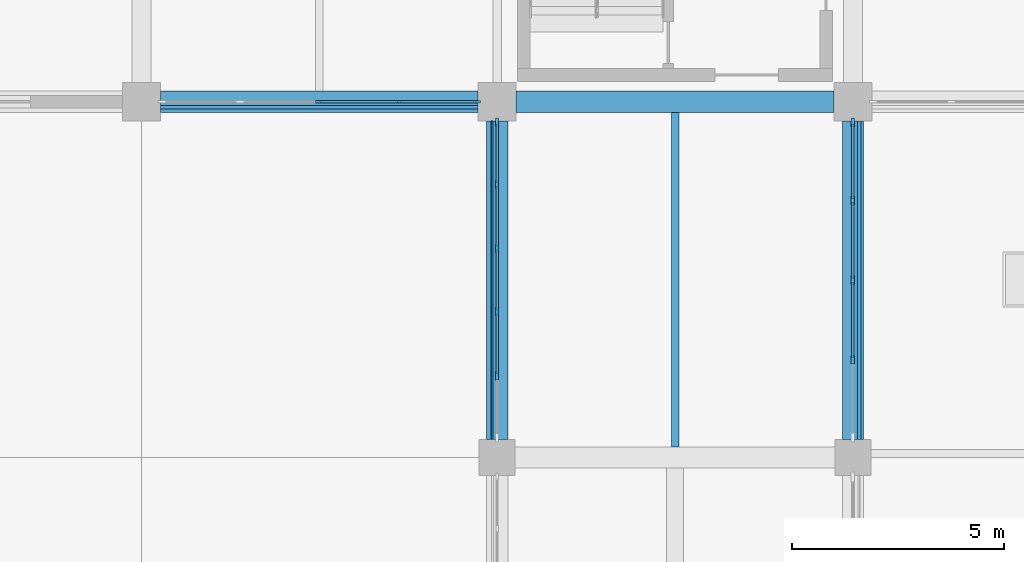
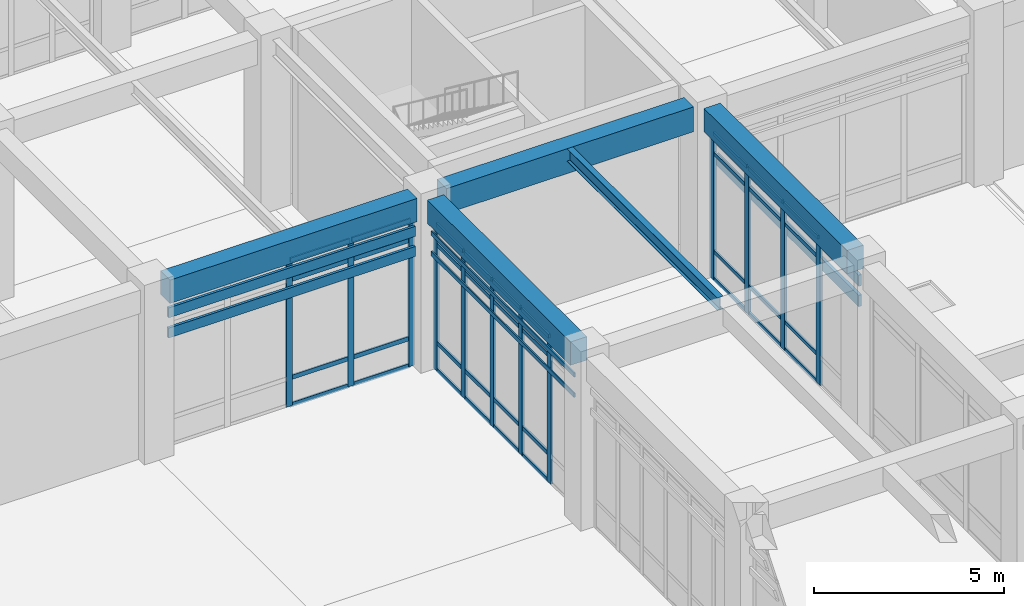
# One storey, part 22 of 91: 54 members, 5 beams, 3 elements without a shape of their own.
"""IFC4 building model written with IfcOpenShell, lengths in metres."""

from ifc_helpers import new_model, si_unit, direction, frame, origin, origin_2d, place, context, subcontext, project, spatial, rectangle, i_section, extrude, material, layer, layer_set, material_profile, profile_set, type_object, element, aggregate, save


model = new_model("IFC4")

# Units and contexts
model_context = context("Model", 3, precision=1e-05, world=origin(), true_north=direction((0.0, 1.0)))
body_context = subcontext(model_context, "Body", "Model", "MODEL_VIEW")
ifc_project = project(units=[si_unit("LENGTHUNIT", "METRE"), si_unit("AREAUNIT", "SQUARE_METRE"), si_unit("VOLUMEUNIT", "CUBIC_METRE"), si_unit("PLANEANGLEUNIT", "RADIAN"), si_unit("MASSUNIT", "GRAM", prefix="KILO")], contexts=[model_context])

# Site, building, storey
site_placement = place(None, origin())
site = spatial("IfcSite", under=ifc_project, at=site_placement, CompositionType="ELEMENT")
building_placement = place(site_placement, origin())
building = spatial("IfcBuilding", under=site, at=building_placement, Name="Porcellanite Civic Hall", CompositionType="ELEMENT")
storey_placement = place(building_placement, origin())
storey = spatial("IfcBuildingStorey", under=building, at=storey_placement, Name="L00", CompositionType="ELEMENT", Elevation=0.0)

# Beams
ifc_material_1 = material(Name="Concrete N50 (50 MPa)", Category="concrete")
ifc_material_profile_1 = material_profile(ifc_material_1, rectangle(XDim=0.5, YDim=0.75, at=origin_2d()), Name="RC-500x750")
ifc_profile_set_1 = profile_set([ifc_material_profile_1], Name="Concrete N50 (50 MPa)")
beam_type_1 = type_object("IfcBeamType", Name="BM-RC750", PredefinedType="SPANDREL", material=ifc_profile_set_1)
beam_1_placement = place(storey_placement, frame((42.449462890625, 100.800048828125, 5.125), z_axis=(1.0, 0.0, 0.0), x_axis=(0.0, 1.0, 0.0)))
element("IfcBeam", 1, at=beam_1_placement, inside=storey, type_object=beam_type_1, Name="Beam X L00 6-13", PredefinedType="SPANDREL", context=body_context, shape_type="SweptSolid", body=[
    extrude(rectangle(XDim=0.5, YDim=0.75, at=origin_2d()), origin(), (0.0, 0.0, 1.0), 7.5009765625),
])
for number, where, z_axis, x_axis, name in (
    (2, (50.39990234375, 92.824462890625, 5.125), (0.0, 1.0, 0.0), (-1.0, 0.0, 0.0), "Beam Y L00 7-12"),
    (3, (58.800048828125, 92.824462890625, 5.125), (0.0, 1.0, 0.0), (-1.0, 0.0, 0.0), "Beam Y L00 8-12"),
):
    element("IfcBeam", number, at=place(storey_placement, frame(where, z_axis=z_axis, x_axis=x_axis)), inside=storey, type_object=beam_type_1, Name=name, PredefinedType="SPANDREL", context=body_context, shape_type="SweptSolid", body=[
        extrude(rectangle(XDim=0.5, YDim=0.75, at=origin_2d()), origin(), (0.0, 0.0, 1.0), 7.526123046875),
    ])
ifc_material_2 = material(Name="Concrete N50 (50 MPa)", Category="concrete")
ifc_material_profile_2 = material_profile(ifc_material_2, rectangle(XDim=0.5, YDim=0.800048828125, at=origin_2d()), Name="RC-500x800")
ifc_profile_set_2 = profile_set([ifc_material_profile_2], Name="Concrete N50 (50 MPa)")
beam_type_2 = type_object("IfcBeamType", Name="BM-RC800", PredefinedType="BEAM", material=ifc_profile_set_2)
beam_2_placement = place(storey_placement, frame((50.849609375, 100.800048828125, 5.10009765625), z_axis=(1.0, 0.0, 0.0), x_axis=(0.0, 1.0, 0.0)))
element("IfcBeam", 4, at=beam_2_placement, inside=storey, type_object=beam_type_2, Name="Beam X L00 7-13", PredefinedType="BEAM", context=body_context, shape_type="SweptSolid", body=[
    extrude(rectangle(XDim=0.5, YDim=0.800048828125, at=origin_2d()), origin(), (0.0, 0.0, 1.0), 7.5009765625),
])

# Curtain wall, members
ifc_material_3 = material(Name="Anodised aluminium and solar laminated glass", Category="aluminium")
ifc_layer_1 = layer(ifc_material_3, 0.179931640625)
ifc_layer_set_1 = layer_set([ifc_layer_1], Name="Anodised aluminium and solar laminated glass")
curtain_wall_type_1 = type_object("IfcCurtainWallType", Name="CW-SYS03", PredefinedType="NOTDEFINED", material=ifc_layer_set_1)
curtain_wall_1_placement = place(storey_placement, origin())
curtain_wall_1 = element("IfcCurtainWall", 5, at=curtain_wall_1_placement, inside=storey, type_object=curtain_wall_type_1, Name="Curtain wall CW-024", PredefinedType="NOTDEFINED")
ifc_material_4 = material(Name="Anodised aluminium 6063-T6", Category="aluminium")
ifc_material_profile_3 = material_profile(ifc_material_4, rectangle(XDim=0.080078125, YDim=0.2099609375, at=origin_2d()), Name="AL-80x210")
ifc_profile_set_3 = profile_set([ifc_material_profile_3], Name="Anodised aluminium 6063-T6")
member_type_1 = type_object("IfcMemberType", Name="CWM-02", PredefinedType="MULLION", material=ifc_profile_set_3)
member_1_placement = place(storey_placement, frame((58.800048828125, 100.30908203125, 0.0), z_axis=(0.0, 0.0, 1.0), x_axis=(1.0, 0.0, 0.0)))
member_1 = element("IfcMember", 6, at=member_1_placement, type_object=member_type_1, Name="CW-024 mullion 1", PredefinedType="MULLION", context=body_context, shape_type="SweptSolid", body=[
    extrude(rectangle(XDim=0.080078125, YDim=0.2099609375, at=origin_2d()), origin(), (0.0, 0.0, 1.0), 4.699951171875),
])
member_2_placement = place(storey_placement, frame((58.800048828125, 98.46826171875, 0.0), z_axis=(0.0, 0.0, 1.0), x_axis=(1.0, 0.0, 0.0)))
member_2 = element("IfcMember", 7, at=member_2_placement, type_object=member_type_1, Name="CW-024 mullion 2", PredefinedType="MULLION", context=body_context, shape_type="SweptSolid", body=[
    extrude(rectangle(XDim=0.080078125, YDim=0.2099609375, at=origin_2d()), origin(), (0.0, 0.0, 1.0), 4.699951171875),
])
member_3_placement = place(storey_placement, frame((58.800048828125, 96.58740234375, 0.0), z_axis=(0.0, 0.0, 1.0), x_axis=(1.0, 0.0, 0.0)))
member_3 = element("IfcMember", 8, at=member_3_placement, type_object=member_type_1, Name="CW-024 mullion 3", PredefinedType="MULLION", context=body_context, shape_type="SweptSolid", body=[
    extrude(rectangle(XDim=0.080078125, YDim=0.2099609375, at=origin_2d()), origin(), (0.0, 0.0, 1.0), 4.699951171875),
])
member_4_placement = place(storey_placement, frame((58.800048828125, 94.706787109375, 0.0), z_axis=(0.0, 0.0, 1.0), x_axis=(1.0, 0.0, 0.0)))
member_4 = element("IfcMember", 9, at=member_4_placement, type_object=member_type_1, Name="CW-024 mullion 4", PredefinedType="MULLION", context=body_context, shape_type="SweptSolid", body=[
    extrude(rectangle(XDim=0.080078125, YDim=0.2099609375, at=origin_2d()), origin(), (0.0, 0.0, 1.0), 4.699951171875),
])

ifc_material_5 = material(Name="Anodised aluminium and solar laminated glass", Category="aluminium")
ifc_layer_2 = layer(ifc_material_5, 0.179931640625)
ifc_layer_set_2 = layer_set([ifc_layer_2], Name="Anodised aluminium and solar laminated glass")
curtain_wall_type_2 = type_object("IfcCurtainWallType", Name="CW-SYS01", PredefinedType="NOTDEFINED", material=ifc_layer_set_2)
curtain_wall_2_placement = place(storey_placement, origin())
curtain_wall_2 = element("IfcCurtainWall", 10, at=curtain_wall_2_placement, inside=storey, type_object=curtain_wall_type_2, Name="Curtain wall CW-023", PredefinedType="NOTDEFINED")
ifc_material_6 = material(Name="Anodised aluminium 6063-T6", Category="aluminium")
ifc_material_profile_4 = material_profile(ifc_material_6, rectangle(XDim=0.070068359375, YDim=0.199951171875, at=origin_2d()), Name="AL-70x200")
ifc_profile_set_4 = profile_set([ifc_material_profile_4], Name="Anodised aluminium 6063-T6")
member_type_2 = type_object("IfcMemberType", Name="CWM-05", PredefinedType="MULLION", material=ifc_profile_set_4)
member_5_placement = place(storey_placement, frame((50.39990234375, 94.33056640625, 0.0), z_axis=(0.0, 0.0, 1.0), x_axis=(-1.0, 0.0, 0.0)))
member_5 = element("IfcMember", 11, at=member_5_placement, type_object=member_type_2, Name="CW-023 mullion 2", PredefinedType="MULLION", context=body_context, shape_type="SweptSolid", body=[
    extrude(rectangle(XDim=0.070068359375, YDim=0.199951171875, at=origin_2d()), origin(), (0.0, 0.0, 1.0), 4.699951171875),
])
member_6_placement = place(storey_placement, frame((50.39990234375, 95.835205078125, 0.0), z_axis=(0.0, 0.0, 1.0), x_axis=(-1.0, 0.0, 0.0)))
member_6 = element("IfcMember", 12, at=member_6_placement, type_object=member_type_2, Name="CW-023 mullion 3", PredefinedType="MULLION", context=body_context, shape_type="SweptSolid", body=[
    extrude(rectangle(XDim=0.070068359375, YDim=0.199951171875, at=origin_2d()), origin(), (0.0, 0.0, 1.0), 4.699951171875),
])
member_7_placement = place(storey_placement, frame((50.39990234375, 97.33984375, 0.0), z_axis=(0.0, 0.0, 1.0), x_axis=(-1.0, 0.0, 0.0)))
member_7 = element("IfcMember", 13, at=member_7_placement, type_object=member_type_2, Name="CW-023 mullion 4", PredefinedType="MULLION", context=body_context, shape_type="SweptSolid", body=[
    extrude(rectangle(XDim=0.070068359375, YDim=0.199951171875, at=origin_2d()), origin(), (0.0, 0.0, 1.0), 4.699951171875),
])
member_8_placement = place(storey_placement, frame((50.39990234375, 98.844482421875, 0.0), z_axis=(0.0, 0.0, 1.0), x_axis=(-1.0, 0.0, 0.0)))
member_8 = element("IfcMember", 14, at=member_8_placement, type_object=member_type_2, Name="CW-023 mullion 5", PredefinedType="MULLION", context=body_context, shape_type="SweptSolid", body=[
    extrude(rectangle(XDim=0.070068359375, YDim=0.199951171875, at=origin_2d()), origin(), (0.0, 0.0, 1.0), 4.699951171875),
])
member_9_placement = place(storey_placement, frame((50.39990234375, 100.31396484375, 0.0), z_axis=(0.0, 0.0, 1.0), x_axis=(-1.0, 0.0, 0.0)))
member_9 = element("IfcMember", 15, at=member_9_placement, type_object=member_type_2, Name="CW-023 mullion 6", PredefinedType="MULLION", context=body_context, shape_type="SweptSolid", body=[
    extrude(rectangle(XDim=0.070068359375, YDim=0.199951171875, at=origin_2d()), origin(), (0.0, 0.0, 1.0), 4.699951171875),
])

ifc_material_7 = material(Name="Anodised aluminium and solar laminated glass", Category="aluminium")
ifc_layer_3 = layer(ifc_material_7, 0.179931640625)
ifc_layer_set_3 = layer_set([ifc_layer_3], Name="Anodised aluminium and solar laminated glass")
curtain_wall_type_3 = type_object("IfcCurtainWallType", Name="CW-SYS06", PredefinedType="NOTDEFINED", material=ifc_layer_set_3)
curtain_wall_3_placement = place(storey_placement, origin())
curtain_wall_3 = element("IfcCurtainWall", 16, at=curtain_wall_3_placement, inside=storey, type_object=curtain_wall_type_3, Name="Curtain wall CW-014", PredefinedType="NOTDEFINED")
ifc_material_8 = material(Name="Anodised aluminium 6063-T6", Category="aluminium")
ifc_material_profile_5 = material_profile(ifc_material_8, rectangle(XDim=0.06494140625, YDim=0.179931640625, at=origin_2d()), Name="AL-65x180")
ifc_profile_set_5 = profile_set([ifc_material_profile_5], Name="Anodised aluminium 6063-T6")
member_type_3 = type_object("IfcMemberType", Name="CWM-06", PredefinedType="MULLION", material=ifc_profile_set_5)
member_10_placement = place(storey_placement, frame((49.91650390625, 100.800048828125, 0.0), z_axis=(0.0, 0.0, 1.0), x_axis=(0.0, -1.0, 0.0)))
member_10 = element("IfcMember", 17, at=member_10_placement, type_object=member_type_3, Name="CW-014 mullion 1", PredefinedType="MULLION", context=body_context, shape_type="SweptSolid", body=[
    extrude(rectangle(XDim=0.06494140625, YDim=0.179931640625, at=origin_2d()), origin(), (0.0, 0.0, 1.0), 4.699951171875),
])
member_11_placement = place(storey_placement, frame((48.074462890625, 100.800048828125, 0.0), z_axis=(0.0, 0.0, 1.0), x_axis=(0.0, -1.0, 0.0)))
member_11 = element("IfcMember", 18, at=member_11_placement, type_object=member_type_3, Name="CW-014 mullion 2", PredefinedType="MULLION", context=body_context, shape_type="SweptSolid", body=[
    extrude(rectangle(XDim=0.06494140625, YDim=0.179931640625, at=origin_2d()), origin(), (0.0, 0.0, 1.0), 4.699951171875),
])
member_12_placement = place(storey_placement, frame((46.199951171875, 100.800048828125, 0.0), z_axis=(0.0, 0.0, 1.0), x_axis=(0.0, -1.0, 0.0)))
member_12 = element("IfcMember", 19, at=member_12_placement, type_object=member_type_3, Name="CW-014 mullion 3", PredefinedType="MULLION", context=body_context, shape_type="SweptSolid", body=[
    extrude(rectangle(XDim=0.06494140625, YDim=0.179931640625, at=origin_2d()), origin(), (0.0, 0.0, 1.0), 4.699951171875),
])

# Member
ifc_material_9 = material(Name="Anodised aluminium 6063-T6", Category="aluminium")
ifc_material_profile_6 = material_profile(ifc_material_9, rectangle(XDim=0.06005859375, YDim=0.1298828125, at=origin_2d()), Name="AL-60x130")
ifc_profile_set_6 = profile_set([ifc_material_profile_6], Name="Anodised aluminium 6063-T6")
member_type_4 = type_object("IfcMemberType", Name="CWT-03", PredefinedType="USERDEFINED", material=ifc_profile_set_6)
member_13_placement = place(storey_placement, frame((50.39990234375, 94.365478515625, 0.030029296875), z_axis=(0.0, 1.0, 0.0), x_axis=(-1.0, 0.0, 0.0)))
member_13 = element("IfcMember", 20, at=member_13_placement, type_object=member_type_4, Name="CW-023 transom 2.1", ObjectType="TRANSOM", PredefinedType="USERDEFINED", context=body_context, shape_type="SweptSolid", body=[
    extrude(rectangle(XDim=0.06005859375, YDim=0.1298828125, at=origin_2d()), origin(), (0.0, 0.0, 1.0), 1.434814453125),
])

member_14_placement = place(storey_placement, frame((50.39990234375, 94.365478515625, 0.89990234375), z_axis=(0.0, 1.0, 0.0), x_axis=(-1.0, 0.0, 0.0)))
member_14 = element("IfcMember", 21, at=member_14_placement, type_object=member_type_4, Name="CW-023 transom 2.2", ObjectType="TRANSOM", PredefinedType="USERDEFINED", context=body_context, shape_type="SweptSolid", body=[
    extrude(rectangle(XDim=0.06005859375, YDim=0.1298828125, at=origin_2d()), origin(), (0.0, 0.0, 1.0), 1.434814453125),
])

member_15_placement = place(storey_placement, frame((50.39990234375, 94.365478515625, 4.050048828125), z_axis=(0.0, 1.0, 0.0), x_axis=(-1.0, 0.0, 0.0)))
member_15 = element("IfcMember", 22, at=member_15_placement, type_object=member_type_4, Name="CW-023 transom 2.3", ObjectType="TRANSOM", PredefinedType="USERDEFINED", context=body_context, shape_type="SweptSolid", body=[
    extrude(rectangle(XDim=0.06005859375, YDim=0.1298828125, at=origin_2d()), origin(), (0.0, 0.0, 1.0), 1.434814453125),
])

member_16_placement = place(storey_placement, frame((50.39990234375, 94.365478515625, 4.669921875), z_axis=(0.0, 1.0, 0.0), x_axis=(-1.0, 0.0, 0.0)))
member_16 = element("IfcMember", 23, at=member_16_placement, type_object=member_type_4, Name="CW-023 transom 2.4", ObjectType="TRANSOM", PredefinedType="USERDEFINED", context=body_context, shape_type="SweptSolid", body=[
    extrude(rectangle(XDim=0.06005859375, YDim=0.1298828125, at=origin_2d()), origin(), (0.0, 0.0, 1.0), 1.434814453125),
])

member_17_placement = place(storey_placement, frame((50.39990234375, 95.8701171875, 0.030029296875), z_axis=(0.0, 1.0, 0.0), x_axis=(-1.0, 0.0, 0.0)))
member_17 = element("IfcMember", 24, at=member_17_placement, type_object=member_type_4, Name="CW-023 transom 3.1", ObjectType="TRANSOM", PredefinedType="USERDEFINED", context=body_context, shape_type="SweptSolid", body=[
    extrude(rectangle(XDim=0.06005859375, YDim=0.1298828125, at=origin_2d()), origin(), (0.0, 0.0, 1.0), 1.4345703125),
])

member_18_placement = place(storey_placement, frame((50.39990234375, 95.8701171875, 0.89990234375), z_axis=(0.0, 1.0, 0.0), x_axis=(-1.0, 0.0, 0.0)))
member_18 = element("IfcMember", 25, at=member_18_placement, type_object=member_type_4, Name="CW-023 transom 3.2", ObjectType="TRANSOM", PredefinedType="USERDEFINED", context=body_context, shape_type="SweptSolid", body=[
    extrude(rectangle(XDim=0.06005859375, YDim=0.1298828125, at=origin_2d()), origin(), (0.0, 0.0, 1.0), 1.4345703125),
])

member_19_placement = place(storey_placement, frame((50.39990234375, 95.8701171875, 4.050048828125), z_axis=(0.0, 1.0, 0.0), x_axis=(-1.0, 0.0, 0.0)))
member_19 = element("IfcMember", 26, at=member_19_placement, type_object=member_type_4, Name="CW-023 transom 3.3", ObjectType="TRANSOM", PredefinedType="USERDEFINED", context=body_context, shape_type="SweptSolid", body=[
    extrude(rectangle(XDim=0.06005859375, YDim=0.1298828125, at=origin_2d()), origin(), (0.0, 0.0, 1.0), 1.4345703125),
])

member_20_placement = place(storey_placement, frame((50.39990234375, 95.8701171875, 4.669921875), z_axis=(0.0, 1.0, 0.0), x_axis=(-1.0, 0.0, 0.0)))
member_20 = element("IfcMember", 27, at=member_20_placement, type_object=member_type_4, Name="CW-023 transom 3.4", ObjectType="TRANSOM", PredefinedType="USERDEFINED", context=body_context, shape_type="SweptSolid", body=[
    extrude(rectangle(XDim=0.06005859375, YDim=0.1298828125, at=origin_2d()), origin(), (0.0, 0.0, 1.0), 1.4345703125),
])

member_21_placement = place(storey_placement, frame((50.39990234375, 97.374755859375, 0.030029296875), z_axis=(0.0, 1.0, 0.0), x_axis=(-1.0, 0.0, 0.0)))
member_21 = element("IfcMember", 28, at=member_21_placement, type_object=member_type_4, Name="CW-023 transom 4.1", ObjectType="TRANSOM", PredefinedType="USERDEFINED", context=body_context, shape_type="SweptSolid", body=[
    extrude(rectangle(XDim=0.06005859375, YDim=0.1298828125, at=origin_2d()), origin(), (0.0, 0.0, 1.0), 1.4345703125),
])

member_22_placement = place(storey_placement, frame((50.39990234375, 97.374755859375, 0.89990234375), z_axis=(0.0, 1.0, 0.0), x_axis=(-1.0, 0.0, 0.0)))
member_22 = element("IfcMember", 29, at=member_22_placement, type_object=member_type_4, Name="CW-023 transom 4.2", ObjectType="TRANSOM", PredefinedType="USERDEFINED", context=body_context, shape_type="SweptSolid", body=[
    extrude(rectangle(XDim=0.06005859375, YDim=0.1298828125, at=origin_2d()), origin(), (0.0, 0.0, 1.0), 1.4345703125),
])

member_23_placement = place(storey_placement, frame((50.39990234375, 97.374755859375, 4.050048828125), z_axis=(0.0, 1.0, 0.0), x_axis=(-1.0, 0.0, 0.0)))
member_23 = element("IfcMember", 30, at=member_23_placement, type_object=member_type_4, Name="CW-023 transom 4.3", ObjectType="TRANSOM", PredefinedType="USERDEFINED", context=body_context, shape_type="SweptSolid", body=[
    extrude(rectangle(XDim=0.06005859375, YDim=0.1298828125, at=origin_2d()), origin(), (0.0, 0.0, 1.0), 1.4345703125),
])

member_24_placement = place(storey_placement, frame((50.39990234375, 97.374755859375, 4.669921875), z_axis=(0.0, 1.0, 0.0), x_axis=(-1.0, 0.0, 0.0)))
member_24 = element("IfcMember", 31, at=member_24_placement, type_object=member_type_4, Name="CW-023 transom 4.4", ObjectType="TRANSOM", PredefinedType="USERDEFINED", context=body_context, shape_type="SweptSolid", body=[
    extrude(rectangle(XDim=0.06005859375, YDim=0.1298828125, at=origin_2d()), origin(), (0.0, 0.0, 1.0), 1.4345703125),
])

member_25_placement = place(storey_placement, frame((50.39990234375, 98.87939453125, 0.030029296875), z_axis=(0.0, 1.0, 0.0), x_axis=(-1.0, 0.0, 0.0)))
member_25 = element("IfcMember", 32, at=member_25_placement, type_object=member_type_4, Name="CW-023 transom 5.1", ObjectType="TRANSOM", PredefinedType="USERDEFINED", context=body_context, shape_type="SweptSolid", body=[
    extrude(rectangle(XDim=0.06005859375, YDim=0.1298828125, at=origin_2d()), origin(), (0.0, 0.0, 1.0), 1.399658203125),
])

member_26_placement = place(storey_placement, frame((50.39990234375, 98.87939453125, 0.89990234375), z_axis=(0.0, 1.0, 0.0), x_axis=(-1.0, 0.0, 0.0)))
member_26 = element("IfcMember", 33, at=member_26_placement, type_object=member_type_4, Name="CW-023 transom 5.2", ObjectType="TRANSOM", PredefinedType="USERDEFINED", context=body_context, shape_type="SweptSolid", body=[
    extrude(rectangle(XDim=0.06005859375, YDim=0.1298828125, at=origin_2d()), origin(), (0.0, 0.0, 1.0), 1.399658203125),
])

member_27_placement = place(storey_placement, frame((50.39990234375, 98.87939453125, 4.050048828125), z_axis=(0.0, 1.0, 0.0), x_axis=(-1.0, 0.0, 0.0)))
member_27 = element("IfcMember", 34, at=member_27_placement, type_object=member_type_4, Name="CW-023 transom 5.3", ObjectType="TRANSOM", PredefinedType="USERDEFINED", context=body_context, shape_type="SweptSolid", body=[
    extrude(rectangle(XDim=0.06005859375, YDim=0.1298828125, at=origin_2d()), origin(), (0.0, 0.0, 1.0), 1.399658203125),
])

member_28_placement = place(storey_placement, frame((50.39990234375, 98.87939453125, 4.669921875), z_axis=(0.0, 1.0, 0.0), x_axis=(-1.0, 0.0, 0.0)))
member_28 = element("IfcMember", 35, at=member_28_placement, type_object=member_type_4, Name="CW-023 transom 5.4", ObjectType="TRANSOM", PredefinedType="USERDEFINED", context=body_context, shape_type="SweptSolid", body=[
    extrude(rectangle(XDim=0.06005859375, YDim=0.1298828125, at=origin_2d()), origin(), (0.0, 0.0, 1.0), 1.399658203125),
])

aggregate(curtain_wall_2, [member_5, member_6, member_7, member_8, member_9, member_13, member_14, member_15, member_16, member_17, member_18, member_19, member_20, member_21, member_22, member_23, member_24, member_25, member_26, member_27, member_28])

ifc_material_10 = material(Name="Anodised aluminium 6063-T6", Category="aluminium")
ifc_material_profile_7 = material_profile(ifc_material_10, rectangle(XDim=0.054931640625, YDim=0.1201171875, at=origin_2d()), Name="AL-55x120")
ifc_profile_set_7 = profile_set([ifc_material_profile_7], Name="Anodised aluminium 6063-T6")
member_type_5 = type_object("IfcMemberType", Name="CWT-04", PredefinedType="USERDEFINED", material=ifc_profile_set_7)
member_29_placement = place(storey_placement, frame((58.800048828125, 100.26904296875, 0.027587890625), z_axis=(0.0, -1.0, 0.0), x_axis=(1.0, 0.0, 0.0)))
member_29 = element("IfcMember", 36, at=member_29_placement, type_object=member_type_5, Name="CW-024 transom 1.1", ObjectType="TRANSOM", PredefinedType="USERDEFINED", context=body_context, shape_type="SweptSolid", body=[
    extrude(rectangle(XDim=0.054931640625, YDim=0.1201171875, at=origin_2d()), origin(), (0.0, 0.0, 1.0), 1.7607421875),
])

member_30_placement = place(storey_placement, frame((58.800048828125, 100.26904296875, 0.89990234375), z_axis=(0.0, -1.0, 0.0), x_axis=(1.0, 0.0, 0.0)))
member_30 = element("IfcMember", 37, at=member_30_placement, type_object=member_type_5, Name="CW-024 transom 1.2", ObjectType="TRANSOM", PredefinedType="USERDEFINED", context=body_context, shape_type="SweptSolid", body=[
    extrude(rectangle(XDim=0.054931640625, YDim=0.1201171875, at=origin_2d()), origin(), (0.0, 0.0, 1.0), 1.7607421875),
])

member_31_placement = place(storey_placement, frame((58.800048828125, 100.26904296875, 4.050048828125), z_axis=(0.0, -1.0, 0.0), x_axis=(1.0, 0.0, 0.0)))
member_31 = element("IfcMember", 38, at=member_31_placement, type_object=member_type_5, Name="CW-024 transom 1.3", ObjectType="TRANSOM", PredefinedType="USERDEFINED", context=body_context, shape_type="SweptSolid", body=[
    extrude(rectangle(XDim=0.054931640625, YDim=0.1201171875, at=origin_2d()), origin(), (0.0, 0.0, 1.0), 1.7607421875),
])

member_32_placement = place(storey_placement, frame((58.800048828125, 100.26904296875, 4.672607421875), z_axis=(0.0, -1.0, 0.0), x_axis=(1.0, 0.0, 0.0)))
member_32 = element("IfcMember", 39, at=member_32_placement, type_object=member_type_5, Name="CW-024 transom 1.4", ObjectType="TRANSOM", PredefinedType="USERDEFINED", context=body_context, shape_type="SweptSolid", body=[
    extrude(rectangle(XDim=0.054931640625, YDim=0.1201171875, at=origin_2d()), origin(), (0.0, 0.0, 1.0), 1.7607421875),
])

member_33_placement = place(storey_placement, frame((58.800048828125, 98.42822265625, 0.027587890625), z_axis=(0.0, -1.0, 0.0), x_axis=(1.0, 0.0, 0.0)))
member_33 = element("IfcMember", 40, at=member_33_placement, type_object=member_type_5, Name="CW-024 transom 2.1", ObjectType="TRANSOM", PredefinedType="USERDEFINED", context=body_context, shape_type="SweptSolid", body=[
    extrude(rectangle(XDim=0.054931640625, YDim=0.1201171875, at=origin_2d()), origin(), (0.0, 0.0, 1.0), 1.80078125),
])

member_34_placement = place(storey_placement, frame((58.800048828125, 98.42822265625, 0.89990234375), z_axis=(0.0, -1.0, 0.0), x_axis=(1.0, 0.0, 0.0)))
member_34 = element("IfcMember", 41, at=member_34_placement, type_object=member_type_5, Name="CW-024 transom 2.2", ObjectType="TRANSOM", PredefinedType="USERDEFINED", context=body_context, shape_type="SweptSolid", body=[
    extrude(rectangle(XDim=0.054931640625, YDim=0.1201171875, at=origin_2d()), origin(), (0.0, 0.0, 1.0), 1.80078125),
])

member_35_placement = place(storey_placement, frame((58.800048828125, 98.42822265625, 4.050048828125), z_axis=(0.0, -1.0, 0.0), x_axis=(1.0, 0.0, 0.0)))
member_35 = element("IfcMember", 42, at=member_35_placement, type_object=member_type_5, Name="CW-024 transom 2.3", ObjectType="TRANSOM", PredefinedType="USERDEFINED", context=body_context, shape_type="SweptSolid", body=[
    extrude(rectangle(XDim=0.054931640625, YDim=0.1201171875, at=origin_2d()), origin(), (0.0, 0.0, 1.0), 1.80078125),
])

member_36_placement = place(storey_placement, frame((58.800048828125, 98.42822265625, 4.672607421875), z_axis=(0.0, -1.0, 0.0), x_axis=(1.0, 0.0, 0.0)))
member_36 = element("IfcMember", 43, at=member_36_placement, type_object=member_type_5, Name="CW-024 transom 2.4", ObjectType="TRANSOM", PredefinedType="USERDEFINED", context=body_context, shape_type="SweptSolid", body=[
    extrude(rectangle(XDim=0.054931640625, YDim=0.1201171875, at=origin_2d()), origin(), (0.0, 0.0, 1.0), 1.80078125),
])

member_37_placement = place(storey_placement, frame((58.800048828125, 96.547607421875, 0.027587890625), z_axis=(0.0, -1.0, 0.0), x_axis=(1.0, 0.0, 0.0)))
member_37 = element("IfcMember", 44, at=member_37_placement, type_object=member_type_5, Name="CW-024 transom 3.1", ObjectType="TRANSOM", PredefinedType="USERDEFINED", context=body_context, shape_type="SweptSolid", body=[
    extrude(rectangle(XDim=0.054931640625, YDim=0.1201171875, at=origin_2d()), origin(), (0.0, 0.0, 1.0), 1.80078125),
])

member_38_placement = place(storey_placement, frame((58.800048828125, 96.547607421875, 0.89990234375), z_axis=(0.0, -1.0, 0.0), x_axis=(1.0, 0.0, 0.0)))
member_38 = element("IfcMember", 45, at=member_38_placement, type_object=member_type_5, Name="CW-024 transom 3.2", ObjectType="TRANSOM", PredefinedType="USERDEFINED", context=body_context, shape_type="SweptSolid", body=[
    extrude(rectangle(XDim=0.054931640625, YDim=0.1201171875, at=origin_2d()), origin(), (0.0, 0.0, 1.0), 1.80078125),
])

member_39_placement = place(storey_placement, frame((58.800048828125, 96.547607421875, 4.050048828125), z_axis=(0.0, -1.0, 0.0), x_axis=(1.0, 0.0, 0.0)))
member_39 = element("IfcMember", 46, at=member_39_placement, type_object=member_type_5, Name="CW-024 transom 3.3", ObjectType="TRANSOM", PredefinedType="USERDEFINED", context=body_context, shape_type="SweptSolid", body=[
    extrude(rectangle(XDim=0.054931640625, YDim=0.1201171875, at=origin_2d()), origin(), (0.0, 0.0, 1.0), 1.80078125),
])

member_40_placement = place(storey_placement, frame((58.800048828125, 96.547607421875, 4.672607421875), z_axis=(0.0, -1.0, 0.0), x_axis=(1.0, 0.0, 0.0)))
member_40 = element("IfcMember", 47, at=member_40_placement, type_object=member_type_5, Name="CW-024 transom 3.4", ObjectType="TRANSOM", PredefinedType="USERDEFINED", context=body_context, shape_type="SweptSolid", body=[
    extrude(rectangle(XDim=0.054931640625, YDim=0.1201171875, at=origin_2d()), origin(), (0.0, 0.0, 1.0), 1.80078125),
])

aggregate(curtain_wall_1, [member_1, member_2, member_3, member_4, member_29, member_30, member_31, member_32, member_33, member_34, member_35, member_36, member_37, member_38, member_39, member_40])

ifc_material_11 = material(Name="Anodised aluminium 6063-T6", Category="aluminium")
ifc_material_profile_8 = material_profile(ifc_material_11, rectangle(XDim=0.050048828125, YDim=0.139892578125, at=origin_2d()), Name="AL-50x140")
ifc_profile_set_8 = profile_set([ifc_material_profile_8], Name="Anodised aluminium 6063-T6")
member_type_6 = type_object("IfcMemberType", Name="CWT-06", PredefinedType="USERDEFINED", material=ifc_profile_set_8)
member_41_placement = place(storey_placement, frame((49.884033203125, 100.800048828125, 0.02490234375), z_axis=(-1.0, 0.0, 0.0), x_axis=(0.0, -1.0, 0.0)))
member_41 = element("IfcMember", 48, at=member_41_placement, type_object=member_type_6, Name="CW-014 transom 1.1", ObjectType="TRANSOM", PredefinedType="USERDEFINED", context=body_context, shape_type="SweptSolid", body=[
    extrude(rectangle(XDim=0.050048828125, YDim=0.139892578125, at=origin_2d()), origin(), (0.0, 0.0, 1.0), 1.777099609375),
])

member_42_placement = place(storey_placement, frame((49.884033203125, 100.800048828125, 0.89990234375), z_axis=(-1.0, 0.0, 0.0), x_axis=(0.0, -1.0, 0.0)))
member_42 = element("IfcMember", 49, at=member_42_placement, type_object=member_type_6, Name="CW-014 transom 1.2", ObjectType="TRANSOM", PredefinedType="USERDEFINED", context=body_context, shape_type="SweptSolid", body=[
    extrude(rectangle(XDim=0.050048828125, YDim=0.139892578125, at=origin_2d()), origin(), (0.0, 0.0, 1.0), 1.777099609375),
])

member_43_placement = place(storey_placement, frame((49.884033203125, 100.800048828125, 4.050048828125), z_axis=(-1.0, 0.0, 0.0), x_axis=(0.0, -1.0, 0.0)))
member_43 = element("IfcMember", 50, at=member_43_placement, type_object=member_type_6, Name="CW-014 transom 1.3", ObjectType="TRANSOM", PredefinedType="USERDEFINED", context=body_context, shape_type="SweptSolid", body=[
    extrude(rectangle(XDim=0.050048828125, YDim=0.139892578125, at=origin_2d()), origin(), (0.0, 0.0, 1.0), 1.777099609375),
])

member_44_placement = place(storey_placement, frame((49.884033203125, 100.800048828125, 4.675048828125), z_axis=(-1.0, 0.0, 0.0), x_axis=(0.0, -1.0, 0.0)))
member_44 = element("IfcMember", 51, at=member_44_placement, type_object=member_type_6, Name="CW-014 transom 1.4", ObjectType="TRANSOM", PredefinedType="USERDEFINED", context=body_context, shape_type="SweptSolid", body=[
    extrude(rectangle(XDim=0.050048828125, YDim=0.139892578125, at=origin_2d()), origin(), (0.0, 0.0, 1.0), 1.777099609375),
])

member_45_placement = place(storey_placement, frame((48.0419921875, 100.800048828125, 0.02490234375), z_axis=(-1.0, 0.0, 0.0), x_axis=(0.0, -1.0, 0.0)))
member_45 = element("IfcMember", 52, at=member_45_placement, type_object=member_type_6, Name="CW-014 transom 2.1", ObjectType="TRANSOM", PredefinedType="USERDEFINED", context=body_context, shape_type="SweptSolid", body=[
    extrude(rectangle(XDim=0.050048828125, YDim=0.139892578125, at=origin_2d()), origin(), (0.0, 0.0, 1.0), 1.8095703125),
])

member_46_placement = place(storey_placement, frame((48.0419921875, 100.800048828125, 0.89990234375), z_axis=(-1.0, 0.0, 0.0), x_axis=(0.0, -1.0, 0.0)))
member_46 = element("IfcMember", 53, at=member_46_placement, type_object=member_type_6, Name="CW-014 transom 2.2", ObjectType="TRANSOM", PredefinedType="USERDEFINED", context=body_context, shape_type="SweptSolid", body=[
    extrude(rectangle(XDim=0.050048828125, YDim=0.139892578125, at=origin_2d()), origin(), (0.0, 0.0, 1.0), 1.8095703125),
])

member_47_placement = place(storey_placement, frame((48.0419921875, 100.800048828125, 4.050048828125), z_axis=(-1.0, 0.0, 0.0), x_axis=(0.0, -1.0, 0.0)))
member_47 = element("IfcMember", 54, at=member_47_placement, type_object=member_type_6, Name="CW-014 transom 2.3", ObjectType="TRANSOM", PredefinedType="USERDEFINED", context=body_context, shape_type="SweptSolid", body=[
    extrude(rectangle(XDim=0.050048828125, YDim=0.139892578125, at=origin_2d()), origin(), (0.0, 0.0, 1.0), 1.8095703125),
])

member_48_placement = place(storey_placement, frame((48.0419921875, 100.800048828125, 4.675048828125), z_axis=(-1.0, 0.0, 0.0), x_axis=(0.0, -1.0, 0.0)))
member_48 = element("IfcMember", 55, at=member_48_placement, type_object=member_type_6, Name="CW-014 transom 2.4", ObjectType="TRANSOM", PredefinedType="USERDEFINED", context=body_context, shape_type="SweptSolid", body=[
    extrude(rectangle(XDim=0.050048828125, YDim=0.139892578125, at=origin_2d()), origin(), (0.0, 0.0, 1.0), 1.8095703125),
])

aggregate(curtain_wall_3, [member_10, member_11, member_12, member_41, member_42, member_43, member_44, member_45, member_46, member_47, member_48])

# Beam
ifc_material_12 = material(Name="Steel Grade 350", Category="steel")
ifc_material_profile_9 = material_profile(ifc_material_12, i_section(OverallWidth=0.177978515625, OverallDepth=0.406005859375, WebThickness=0.0078125, FlangeThickness=0.0126953125, FilletRadius=0.011474609375, at=origin_2d()), Name="410UB59.7")
ifc_profile_set_9 = profile_set([ifc_material_profile_9], Name="Steel Grade 350")
beam_type_3 = type_object("IfcBeamType", Name="JST-410UB60", PredefinedType="JOIST", material=ifc_profile_set_9)
beam_3_placement = place(storey_placement, frame((54.60009765625, 92.6494140625, 5.297119140625), z_axis=(0.0, 1.0, 0.0), x_axis=(-1.0, 0.0, 0.0)))
element("IfcBeam", 56, at=beam_3_placement, inside=storey, type_object=beam_type_3, Name="Secondary joist L00 7-12", PredefinedType="JOIST", context=body_context, shape_type="SweptSolid", body=[
    extrude(i_section(OverallWidth=0.177978515625, OverallDepth=0.406005859375, WebThickness=0.0078125, FlangeThickness=0.0126953125, FilletRadius=0.011474609375, at=origin_2d()), origin(), (0.0, 0.0, 1.0), 7.901123046875),
])

# Members
ifc_material_13 = material(Name="Fluoropolymer bauxite-red aluminium 6063-T6", Category="aluminium")
ifc_material_profile_10 = material_profile(ifc_material_13, rectangle(XDim=0.090087890625, YDim=0.360107421875, at=origin_2d()), Name="AL-90x360")
ifc_profile_set_10 = profile_set([ifc_material_profile_10], Name="Fluoropolymer bauxite-red aluminium 6063-T6")
member_type_7 = type_object("IfcMemberType", Name="LV-BLD01", PredefinedType="USERDEFINED", material=ifc_profile_set_10)
for number, where, z_axis, x_axis, name in (
    (57, (58.951904296875, 100.3505859375, 4.39990234375), (0.0, -1.0, 0.0), (1.0, 0.0, 0.0), "Cyclone sunshade louvre L00 E 6-11 1"),
    (58, (58.951904296875, 100.3505859375, 3.75), (0.0, -1.0, 0.0), (1.0, 0.0, 0.0), "Cyclone sunshade louvre L00 E 6-11 2"),
):
    element("IfcMember", number, at=place(storey_placement, frame(where, z_axis=z_axis, x_axis=x_axis)), inside=storey, type_object=member_type_7, Name=name, ObjectType="LOUVRE BLADE", PredefinedType="USERDEFINED", context=body_context, shape_type="SweptSolid", body=[
        extrude(rectangle(XDim=0.090087890625, YDim=0.360107421875, at=origin_2d()), origin(), (0.0, 0.0, 1.0), 7.526123046875),
    ])
ifc_material_14 = material(Name="Fluoropolymer bauxite-red aluminium 6063-T6", Category="aluminium")
ifc_material_profile_11 = material_profile(ifc_material_14, rectangle(XDim=0.080078125, YDim=0.320068359375, at=origin_2d()), Name="AL-80x320")
ifc_profile_set_11 = profile_set([ifc_material_profile_11], Name="Fluoropolymer bauxite-red aluminium 6063-T6")
member_type_8 = type_object("IfcMemberType", Name="LV-BLD03", PredefinedType="USERDEFINED", material=ifc_profile_set_11)
for number, where, z_axis, x_axis, name in (
    (59, (49.950439453125, 100.66796875, 4.39990234375), (-1.0, 0.0, 0.0), (0.0, -1.0, 0.0), "Cyclone sunshade louvre L00 S 5-12 1"),
    (60, (49.950439453125, 100.66796875, 3.75), (-1.0, 0.0, 0.0), (0.0, -1.0, 0.0), "Cyclone sunshade louvre L00 S 5-12 2"),
):
    element("IfcMember", number, at=place(storey_placement, frame(where, z_axis=z_axis, x_axis=x_axis)), inside=storey, type_object=member_type_8, Name=name, ObjectType="LOUVRE BLADE", PredefinedType="USERDEFINED", context=body_context, shape_type="SweptSolid", body=[
        extrude(rectangle(XDim=0.080078125, YDim=0.320068359375, at=origin_2d()), origin(), (0.0, 0.0, 1.0), 7.5009765625),
    ])
ifc_material_15 = material(Name="Fluoropolymer bauxite-red aluminium 6063-T6", Category="aluminium")
ifc_material_profile_12 = material_profile(ifc_material_15, rectangle(XDim=0.0400390625, YDim=0.139892578125, at=origin_2d()), Name="AL-40x140")
ifc_profile_set_12 = profile_set([ifc_material_profile_12], Name="Fluoropolymer bauxite-red aluminium 6063-T6")
member_type_9 = type_object("IfcMemberType", Name="LV-BLD12", PredefinedType="USERDEFINED", material=ifc_profile_set_12)
for number, where, z_axis, x_axis, name in (
    (61, (50.278076171875, 92.824462890625, 4.39990234375), (0.0, 1.0, 0.0), (-1.0, 0.0, 0.0), "Cyclone sunshade louvre L00 W 6-11 1"),
    (62, (50.278076171875, 92.824462890625, 3.75), (0.0, 1.0, 0.0), (-1.0, 0.0, 0.0), "Cyclone sunshade louvre L00 W 6-11 2"),
):
    element("IfcMember", number, at=place(storey_placement, frame(where, z_axis=z_axis, x_axis=x_axis)), inside=storey, type_object=member_type_9, Name=name, ObjectType="LOUVRE BLADE", PredefinedType="USERDEFINED", context=body_context, shape_type="SweptSolid", body=[
        extrude(rectangle(XDim=0.0400390625, YDim=0.139892578125, at=origin_2d()), origin(), (0.0, 0.0, 1.0), 7.526123046875),
    ])

save(model, "model.ifc")
